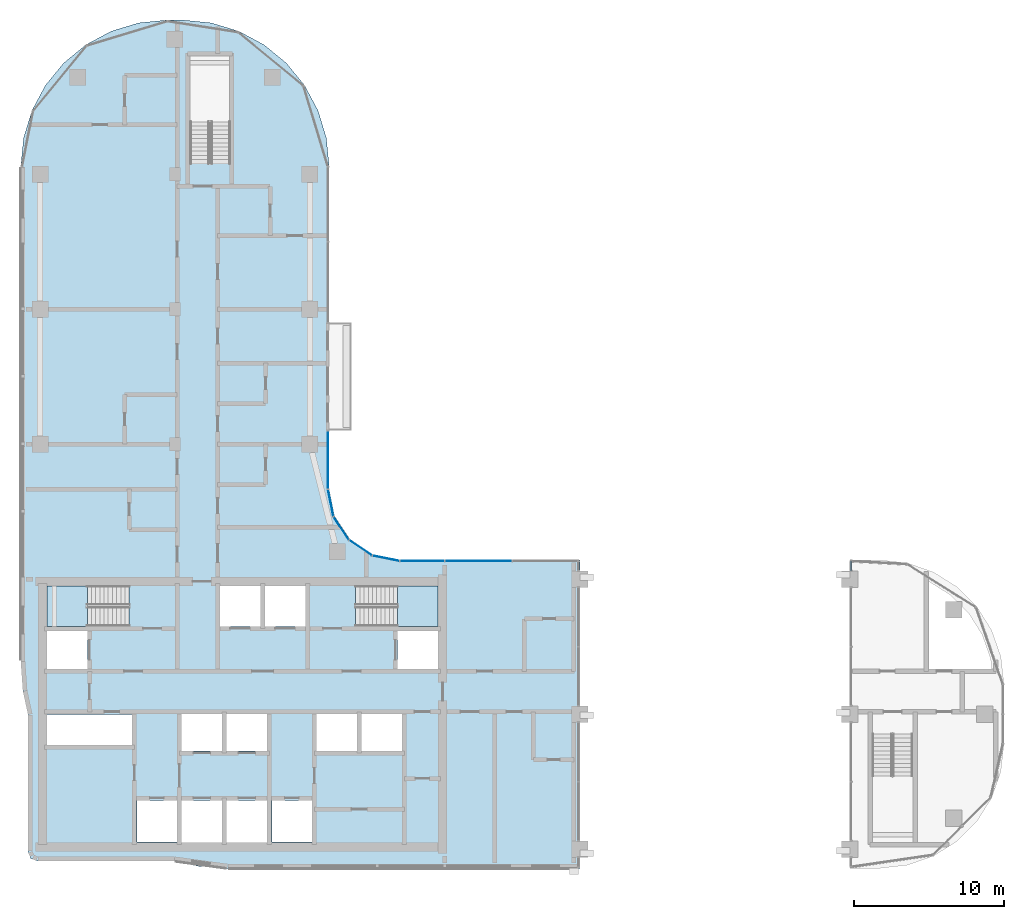
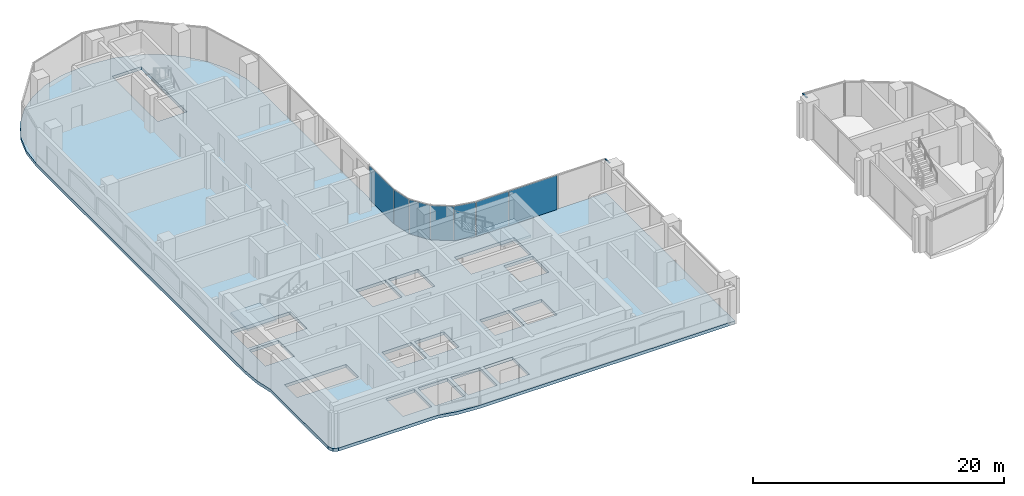
# One storey, part 7 of 23: 7 plates, 3 slabs, 2 members, 7 elements without a shape of their own.
"""IFC4 building model written with IfcOpenShell, lengths in metres."""

from ifc_helpers import new_model, si_unit, direction, frame, origin, origin_2d, place, context, subcontext, project, spatial, polyline, rectangle, outline, extrude, material, layer, layer_set, material_profile, profile_set, type_object, element, aggregate, save


model = new_model("IFC4")

# Units and contexts
model_context = context("Model", 3, precision=1e-05, world=origin(), true_north=direction((0.0, 1.0)))
body_context = subcontext(model_context, "Body", "Model", "MODEL_VIEW")
ifc_project = project(units=[si_unit("LENGTHUNIT", "METRE"), si_unit("AREAUNIT", "SQUARE_METRE"), si_unit("VOLUMEUNIT", "CUBIC_METRE"), si_unit("PLANEANGLEUNIT", "RADIAN"), si_unit("MASSUNIT", "GRAM", prefix="KILO")], contexts=[model_context])

# Site, building, storey
site_placement = place(None, origin())
site = spatial("IfcSite", under=ifc_project, at=site_placement, CompositionType="ELEMENT")
building_placement = place(site_placement, origin())
building = spatial("IfcBuilding", under=site, at=building_placement, Name="Ogive Portal Towers", CompositionType="ELEMENT")
storey_placement = place(building_placement, frame((0.0, 0.0, 164.39990234375)))
storey = spatial("IfcBuildingStorey", under=building, at=storey_placement, Name="L40", CompositionType="ELEMENT", Elevation=164.39990234375)

# Curtain wall, member
ifc_material_1 = material(Name="Glass, clear low-iron insulated glazing", Category="glass")
curtain_wall_type_1 = type_object("IfcCurtainWallType", Name="CW PORTAL REVEAL", PredefinedType="NOTDEFINED", material=ifc_material_1)
curtain_wall_1_placement = place(storey_placement, origin())
curtain_wall_1 = element("IfcCurtainWall", 1, at=curtain_wall_1_placement, inside=storey, type_object=curtain_wall_type_1, Name="A:L40:f06:cw0~3", PredefinedType="NOTDEFINED")
ifc_material_2 = material(Name="Aluminium 6063 anodised", Category="aluminium")
ifc_material_profile = material_profile(ifc_material_2, rectangle(XDim=0.1201171875, YDim=0.06005859375, at=origin_2d()), Name="AL 120x60")
ifc_profile_set = profile_set([ifc_material_profile], Name="Aluminium 6063 anodised")
member_type = type_object("IfcMemberType", Name="CW TRANSOM 60x120", PredefinedType="USERDEFINED", material=ifc_profile_set)
member_1_placement = place(storey_placement, frame((67.419921875, 40.050048828125, 3.3701171875), z_axis=(0.0, 1.0, 0.0), x_axis=(-1.0, 0.0, 0.0)))
member_1 = element("IfcMember", 2, at=member_1_placement, type_object=member_type, Name="transom", ObjectType="TRANSOM", PredefinedType="USERDEFINED", context=body_context, shape_type="SweptSolid", body=[
    extrude(rectangle(XDim=0.1201171875, YDim=0.06005859375, at=origin_2d()), origin(), (0.0, 0.0, 1.0), 0.655029296875),
])
aggregate(curtain_wall_1, [member_1])

curtain_wall_2_placement = place(storey_placement, origin())
curtain_wall_2 = element("IfcCurtainWall", 3, at=curtain_wall_2_placement, inside=storey, type_object=curtain_wall_type_1, Name="A:L40:f22:cw0~0", PredefinedType="NOTDEFINED")
member_2_placement = place(storey_placement, frame((85.580078125, 40.700439453125, 3.3701171875), z_axis=(0.0, -1.0, 0.0), x_axis=(1.0, 0.0, 0.0)))
member_2 = element("IfcMember", 4, at=member_2_placement, type_object=member_type, Name="transom", ObjectType="TRANSOM", PredefinedType="USERDEFINED", context=body_context, shape_type="SweptSolid", body=[
    extrude(rectangle(XDim=0.1201171875, YDim=0.06005859375, at=origin_2d()), origin(), (0.0, 0.0, 1.0), 0.650390625),
])
aggregate(curtain_wall_2, [member_2])

# Curtain wall, plates
curtain_wall_type_2 = type_object("IfcCurtainWallType", Name="CW FRONT RIBBON 4500", PredefinedType="NOTDEFINED", material=ifc_material_1)
curtain_wall_3_placement = place(storey_placement, origin())
curtain_wall_3 = element("IfcCurtainWall", 5, at=curtain_wall_3_placement, inside=storey, type_object=curtain_wall_type_2, Name="A:L40:f07:cw0", PredefinedType="NOTDEFINED")
ifc_layer_1 = layer(ifc_material_1, 0.028076171875)
ifc_layer_set_1 = layer_set([ifc_layer_1], Name="CW PANEL IGU 28")
plate_type = type_object("IfcPlateType", Name="CW PANEL IGU 28", PredefinedType="CURTAIN_PANEL", material=ifc_layer_set_1)
plate_1_placement = place(storey_placement, frame((60.75, 40.705078125, 0.0), z_axis=(0.0, 0.0, 1.0), x_axis=(-1.0, 0.0, 0.0)))
plate_1 = element("IfcPlate", 6, at=plate_1_placement, type_object=plate_type, Name="panel", PredefinedType="CURTAIN_PANEL", context=body_context, shape_type="SweptSolid", body=[
    extrude(rectangle(XDim=4.43994140625, YDim=0.028076171875, at=origin_2d()), origin(), (0.0, 0.0, 1.0), 3.340087890625),
])
plate_2_placement = place(storey_placement, frame((56.99609375, 40.705078125, 0.0), z_axis=(0.0, 0.0, 1.0), x_axis=(-1.0, 0.0, 0.0)))
plate_2 = element("IfcPlate", 7, at=plate_2_placement, type_object=plate_type, Name="panel", PredefinedType="CURTAIN_PANEL", context=body_context, shape_type="SweptSolid", body=[
    extrude(rectangle(XDim=2.947998046875, YDim=0.028076171875, at=origin_2d()), origin(), (0.0, 0.0, 1.0), 3.340087890625),
])
aggregate(curtain_wall_3, [plate_1, plate_2])

# Curtain wall, plate
curtain_wall_4_placement = place(storey_placement, origin())
curtain_wall_4 = element("IfcCurtainWall", 8, at=curtain_wall_4_placement, inside=storey, type_object=curtain_wall_type_2, Name="A:L40:f12:cw0", PredefinedType="NOTDEFINED")
plate_3_placement = place(storey_placement, frame((50.705078125, 47.441650390625, 0.0), z_axis=(0.0, 0.0, 1.0), x_axis=(0.0, 1.0, 0.0)))
plate_3 = element("IfcPlate", 9, at=plate_3_placement, type_object=plate_type, Name="panel", PredefinedType="CURTAIN_PANEL", context=body_context, shape_type="SweptSolid", body=[
    extrude(rectangle(XDim=3.83935546875, YDim=0.028076171875, at=origin_2d()), origin(), (0.0, 0.0, 1.0), 3.340087890625),
])
aggregate(curtain_wall_4, [plate_3])

# Curtain wall, plates
curtain_wall_5_placement = place(storey_placement, origin())
curtain_wall_5 = element("IfcCurtainWall", 10, at=curtain_wall_5_placement, inside=storey, type_object=curtain_wall_type_2, Name="A:L40:f08:cwa", PredefinedType="NOTDEFINED")
plate_4_placement = place(storey_placement, frame((54.578369140625, 40.88671875, 0.0), z_axis=(0.0, 0.0, 1.0), x_axis=(-0.980785280403, 0.195090322016, 0.0)))
plate_4 = element("IfcPlate", 11, at=plate_4_placement, type_object=plate_type, Name="panel", PredefinedType="CURTAIN_PANEL", context=body_context, shape_type="SweptSolid", body=[
    extrude(rectangle(XDim=1.803466796875, YDim=0.028076171875, at=origin_2d()), origin(), (0.0, 0.0, 1.0), 3.340087890625),
])
plate_5_placement = place(storey_placement, frame((52.886474609375, 41.58837890625, 0.0), z_axis=(0.0, 0.0, 1.0), x_axis=(-0.831469612303, 0.55557023302, 0.0)))
plate_5 = element("IfcPlate", 12, at=plate_5_placement, type_object=plate_type, Name="panel", PredefinedType="CURTAIN_PANEL", context=body_context, shape_type="SweptSolid", body=[
    extrude(rectangle(XDim=1.8115234375, YDim=0.028076171875, at=origin_2d()), origin(), (0.0, 0.0, 1.0), 3.340087890625),
])
plate_6_placement = place(storey_placement, frame((51.58837890625, 42.886474609375, 0.0), z_axis=(0.0, 0.0, 1.0), x_axis=(-0.55557023302, 0.831469612303, 0.0)))
plate_6 = element("IfcPlate", 13, at=plate_6_placement, type_object=plate_type, Name="panel", PredefinedType="CURTAIN_PANEL", context=body_context, shape_type="SweptSolid", body=[
    extrude(rectangle(XDim=1.8115234375, YDim=0.028076171875, at=origin_2d()), origin(), (0.0, 0.0, 1.0), 3.340087890625),
])
plate_7_placement = place(storey_placement, frame((50.88671875, 44.578369140625, 0.0), z_axis=(0.0, 0.0, 1.0), x_axis=(-0.195090322016, 0.980785280403, 0.0)))
plate_7 = element("IfcPlate", 14, at=plate_7_placement, type_object=plate_type, Name="panel", PredefinedType="CURTAIN_PANEL", context=body_context, shape_type="SweptSolid", body=[
    extrude(rectangle(XDim=1.803466796875, YDim=0.028076171875, at=origin_2d()), origin(), (0.0, 0.0, 1.0), 3.340087890625),
])
aggregate(curtain_wall_5, [plate_4, plate_5, plate_6, plate_7])

# Stair, slab
ifc_material_3 = material(Name="Concrete C40/50", Category="concrete")
stair_type = type_object("IfcStairType", Name="INT-STAIR", PredefinedType="HALF_TURN_STAIR", material=ifc_material_3)
stair_1_placement = place(storey_placement, origin())
stair_1 = element("IfcStair", 15, at=stair_1_placement, inside=storey, type_object=stair_type, Name="L40 Exit Stair ST-A1", PredefinedType="HALF_TURN_STAIR")
ifc_layer_2 = layer(ifc_material_3, 0.199951171875)
ifc_layer_set_2 = layer_set([ifc_layer_2], Name="INT-LANDING")
slab_type_1 = type_object("IfcSlabType", Name="INT-LANDING", PredefinedType="LANDING", material=ifc_layer_set_2)
slab_1_placement = place(storey_placement, frame((0.0, 0.0, 1.650146484375)))
slab_1 = element("IfcSlab", 16, at=slab_1_placement, type_object=slab_type_1, Name="ST-A1 landing 1", PredefinedType="LANDING", context=body_context, shape_type="SweptSolid", body=[
    extrude(outline(polyline([(34.64990234375, 39.050048828125), (31.949951171875, 39.050048828125), (31.949951171875, 36.35009765625), (34.64990234375, 36.35009765625), (34.64990234375, 39.050048828125)])), origin(), (0.0, 0.0, 1.0), 0.199951171875),
])
aggregate(stair_1, [slab_1])

stair_2_placement = place(storey_placement, origin())
stair_2 = element("IfcStair", 17, at=stair_2_placement, inside=storey, type_object=stair_type, Name="L40 Exit Stair ST-A2", PredefinedType="HALF_TURN_STAIR")
slab_2_placement = place(storey_placement, frame((0.0, 0.0, 1.650146484375)))
slab_2 = element("IfcSlab", 18, at=slab_2_placement, type_object=slab_type_1, Name="ST-A2 landing 1", PredefinedType="LANDING", context=body_context, shape_type="SweptSolid", body=[
    extrude(outline(polyline([(55.35009765625, 36.35009765625), (58.050048828125, 36.35009765625), (58.050048828125, 39.050048828125), (55.35009765625, 39.050048828125), (55.35009765625, 36.35009765625)])), origin(), (0.0, 0.0, 1.0), 0.199951171875),
])
aggregate(stair_2, [slab_2])

# Slab
ifc_material_4 = material(Name="Concrete C45/55", Category="concrete")
ifc_layer_3 = layer(ifc_material_4, 0.300048828125)
ifc_layer_set_3 = layer_set([ifc_layer_3], Name="PT FLAT PLATE 300")
slab_type_2 = type_object("IfcSlabType", Name="PT FLAT PLATE 300", PredefinedType="FLOOR", material=ifc_layer_set_3)
slab_3_placement = place(storey_placement, frame((0.0, 0.0, -0.2998046875)))
element("IfcSlab", 19, at=slab_3_placement, inside=storey, type_object=slab_type_2, Name="Floor slab L40", PredefinedType="FLOOR", context=body_context, shape_type="SweptSolid", body=[
    extrude(outline(polyline([(30.215087890625, 67.0), (30.215087890625, 34.0), (30.355224609375, 32.0380859375), (30.699951171875, 30.45361328125), (30.699951171875, 21.300048828125), (30.875732421875, 20.875732421875), (31.300048828125, 20.699951171875), (40.45361328125, 20.699951171875), (42.0380859375, 20.355224609375), (44.0, 20.215087890625), (67.5, 20.215087890625), (67.5, 40.784912109375), (55.5, 40.784912109375), (53.695556640625, 41.143798828125), (52.166015625, 42.166015625), (51.143798828125, 43.695556640625), (50.784912109375, 45.5), (50.784912109375, 67.0), (50.596923828125, 68.908935546875), (50.040283203125, 70.74462890625), (49.135986328125, 72.436279296875), (47.9189453125, 73.9189453125), (46.436279296875, 75.135986328125), (44.74462890625, 76.040283203125), (42.908935546875, 76.596923828125), (41.0, 76.784912109375), (40.0, 76.784912109375), (38.091064453125, 76.596923828125), (36.25537109375, 76.040283203125), (34.563720703125, 75.135986328125), (33.0810546875, 73.9189453125), (31.864013671875, 72.436279296875), (30.959716796875, 70.74462890625), (30.403076171875, 68.908935546875), (30.215087890625, 67.0)]), holes=[polyline([(40.6298828125, 21.969970703125), (37.969970703125, 21.969970703125), (37.969970703125, 24.72998046875), (40.6298828125, 24.72998046875), (40.6298828125, 21.969970703125)]), polyline([(43.64990234375, 24.75), (43.64990234375, 21.949951171875), (40.949951171875, 21.949951171875), (40.949951171875, 24.75), (43.64990234375, 24.75)]), polyline([(46.64990234375, 24.75), (46.64990234375, 21.949951171875), (43.949951171875, 21.949951171875), (43.949951171875, 24.75), (46.64990234375, 24.75)]), polyline([(43.64990234375, 30.5), (43.64990234375, 28.050048828125), (40.949951171875, 28.050048828125), (40.949951171875, 30.5), (43.64990234375, 30.5)]), polyline([(37.6298828125, 28.447021484375), (31.969970703125, 28.447021484375), (31.969970703125, 30.47998046875), (37.6298828125, 30.47998046875), (37.6298828125, 28.447021484375)]), polyline([(34.64990234375, 36.050048828125), (34.64990234375, 33.5), (31.949951171875, 33.5), (31.949951171875, 36.050048828125), (34.64990234375, 36.050048828125)]), polyline([(31.951904296875, 39.048095703125), (37.447998046875, 39.048095703125), (37.447998046875, 36.35205078125), (31.951904296875, 36.35205078125), (31.951904296875, 39.048095703125)]), polyline([(46.199951171875, 36.35009765625), (43.5, 36.35009765625), (43.5, 39.050048828125), (46.199951171875, 39.050048828125), (46.199951171875, 36.35009765625)]), polyline([(44.197998046875, 67.201904296875), (41.501953125, 67.201904296875), (41.501953125, 74.447998046875), (44.197998046875, 74.447998046875), (44.197998046875, 67.201904296875)]), polyline([(49.6298828125, 21.969970703125), (46.969970703125, 21.969970703125), (46.969970703125, 24.72998046875), (49.6298828125, 24.72998046875), (49.6298828125, 21.969970703125)]), polyline([(46.64990234375, 30.5), (46.64990234375, 28.050048828125), (43.949951171875, 28.050048828125), (43.949951171875, 30.5), (46.64990234375, 30.5)]), polyline([(52.64990234375, 30.5), (52.64990234375, 28.050048828125), (49.949951171875, 28.050048828125), (49.949951171875, 30.5), (52.64990234375, 30.5)]), polyline([(55.64990234375, 30.5), (55.64990234375, 28.050048828125), (52.949951171875, 28.050048828125), (52.949951171875, 30.5), (55.64990234375, 30.5)]), polyline([(58.050048828125, 36.050048828125), (58.050048828125, 33.5), (55.35009765625, 33.5), (55.35009765625, 36.050048828125), (58.050048828125, 36.050048828125)]), polyline([(49.199951171875, 36.35009765625), (46.5, 36.35009765625), (46.5, 39.050048828125), (49.199951171875, 39.050048828125), (49.199951171875, 36.35009765625)]), polyline([(52.552001953125, 36.35205078125), (52.552001953125, 39.048095703125), (58.048095703125, 39.048095703125), (58.048095703125, 36.35205078125), (52.552001953125, 36.35205078125)])]), origin(), (0.0, 0.0, 1.0), 0.2998046875),
])

save(model, "model.ifc")
